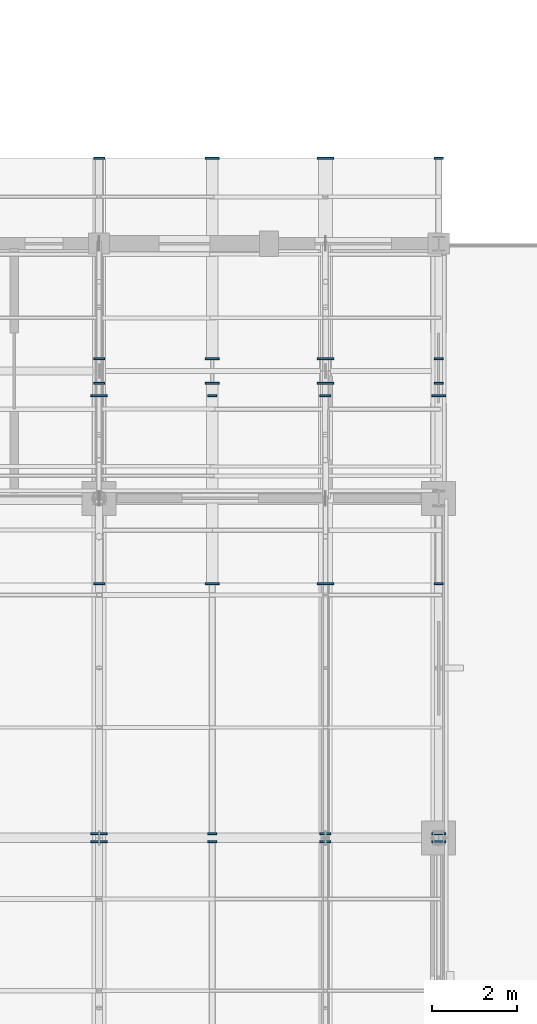
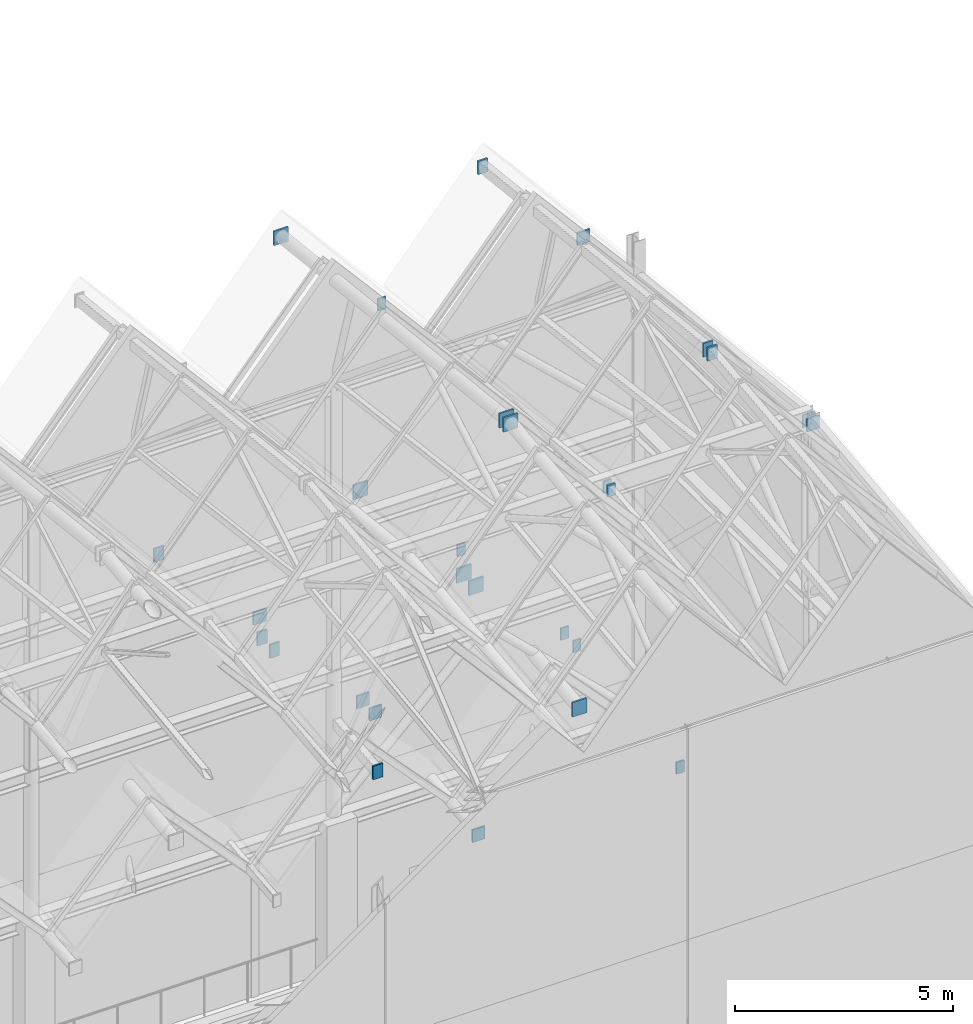
# One storey, part 40 of 48: 28 discrete accessories.
"""IFC4 building model written with IfcOpenShell, lengths in metres."""

from ifc_helpers import new_model, si_unit, direction, frame, origin, origin_2d, place, context, subcontext, project, spatial, rectangle, extrude, material, type_object, element, save


model = new_model("IFC4")

# Units and contexts
model_context = context("Model", 3, precision=1e-05, world=origin(), true_north=direction((0.0, 1.0)))
body_context = subcontext(model_context, "Body", "Model", "MODEL_VIEW")
ifc_project = project(units=[si_unit("LENGTHUNIT", "METRE"), si_unit("AREAUNIT", "SQUARE_METRE"), si_unit("VOLUMEUNIT", "CUBIC_METRE"), si_unit("PLANEANGLEUNIT", "RADIAN"), si_unit("MASSUNIT", "GRAM", prefix="KILO")], contexts=[model_context])

# Site, building, storey
site_placement = place(None, origin())
site = spatial("IfcSite", under=ifc_project, at=site_placement, CompositionType="ELEMENT")
building_placement = place(site_placement, origin())
building = spatial("IfcBuilding", under=site, at=building_placement, Name="Luwemba Playhouse", CompositionType="ELEMENT")
storey_placement = place(building_placement, frame((0.0, 0.0, 13.800048828125)))
storey = spatial("IfcBuildingStorey", under=building, at=storey_placement, Name="L03", CompositionType="ELEMENT", Elevation=13.800048828125)

# Discrete accessories
ifc_material = material(Name="Steel S355", Category="steel")
discrete_accessory_type = type_object("IfcDiscreteAccessoryType", Name="ACC-ENDCAP-S355", PredefinedType="BRACKET", material=ifc_material)
for number, where, z_axis, x_axis, name in (
    (1, (36.0, 75.90478515625, 20.1435546875), (0.0, 0.0, 1.0), (1.0, 0.0, 0.0), "Welded RHS end cap plate 0098"),
    (2, (36.0, 76.09521484375, 20.1435546875), (0.0, 0.0, 1.0), (1.0, 0.0, 0.0), "Welded RHS end cap plate 0099"),
    (3, (36.0, 86.414794921875, 18.98583984375), (0.0, 0.0, 1.0), (1.0, 0.0, 0.0), "Welded RHS end cap plate 0100"),
):
    element("IfcDiscreteAccessory", number, at=place(storey_placement, frame(where, z_axis=z_axis, x_axis=x_axis)), inside=storey, type_object=discrete_accessory_type, Name=name, PredefinedType="BRACKET", context=body_context, shape_type="SweptSolid", body=[
        extrude(rectangle(XDim=0.384033203125, YDim=0.044921875, at=origin_2d()), origin(), (0.0, 0.0, 1.0), 0.404052734375),
    ])
for number, where, z_axis, x_axis, name in (
    (4, (38.666748046875, 75.90478515625, 17.359619140625), (0.0, 0.0, 1.0), (1.0, 0.0, 0.0), "Welded RHS end cap plate 0102"),
    (5, (38.666748046875, 76.09521484375, 17.359619140625), (0.0, 0.0, 1.0), (1.0, 0.0, 0.0), "Welded RHS end cap plate 0103"),
    (6, (38.666748046875, 86.414794921875, 16.2021484375), (0.0, 0.0, 1.0), (1.0, 0.0, 0.0), "Welded RHS end cap plate 0104"),
):
    element("IfcDiscreteAccessory", number, at=place(storey_placement, frame(where, z_axis=z_axis, x_axis=x_axis)), inside=storey, type_object=discrete_accessory_type, Name=name, PredefinedType="BRACKET", context=body_context, shape_type="SweptSolid", body=[
        extrude(rectangle(XDim=0.2099609375, YDim=0.044921875, at=origin_2d()), origin(), (0.0, 0.0, 1.0), 0.330078125),
    ])
for number, where, z_axis, x_axis, name in (
    (7, (41.333251953125, 75.90478515625, 20.239501953125), (0.0, 0.0, 1.0), (1.0, 0.0, 0.0), "Welded RHS end cap plate 0106"),
    (8, (41.333251953125, 76.09521484375, 20.239501953125), (0.0, 0.0, 1.0), (1.0, 0.0, 0.0), "Welded RHS end cap plate 0107"),
    (9, (41.333251953125, 86.414794921875, 19.08203125), (0.0, 0.0, 1.0), (1.0, 0.0, 0.0), "Welded RHS end cap plate 0108"),
):
    element("IfcDiscreteAccessory", number, at=place(storey_placement, frame(where, z_axis=z_axis, x_axis=x_axis)), inside=storey, type_object=discrete_accessory_type, Name=name, PredefinedType="BRACKET", context=body_context, shape_type="SweptSolid", body=[
        extrude(rectangle(XDim=0.260009765625, YDim=0.044921875, at=origin_2d()), origin(), (0.0, 0.0, 1.0), 0.3798828125),
    ])
for number, where, z_axis, x_axis, name in (
    (10, (44.0, 75.90478515625, 17.336669921875), (0.0, 0.0, 1.0), (1.0, 0.0, 0.0), "Welded RHS end cap plate 0110"),
    (11, (44.0, 76.09521484375, 17.336669921875), (0.0, 0.0, 1.0), (1.0, 0.0, 0.0), "Welded RHS end cap plate 0111"),
    (12, (44.0, 86.414794921875, 16.17919921875), (0.0, 0.0, 1.0), (1.0, 0.0, 0.0), "Welded RHS end cap plate 0112"),
):
    element("IfcDiscreteAccessory", number, at=place(storey_placement, frame(where, z_axis=z_axis, x_axis=x_axis)), inside=storey, type_object=discrete_accessory_type, Name=name, PredefinedType="BRACKET", context=body_context, shape_type="SweptSolid", body=[
        extrude(rectangle(XDim=0.3330078125, YDim=0.044921875, at=origin_2d()), origin(), (0.0, 0.0, 1.0), 0.35302734375),
    ])
for number, where, z_axis, x_axis, name in (
    (13, (36.0, 81.985107421875, 6.71240234375), (0.0, 0.0, 1.0), (1.0, 0.0, 0.0), "Welded RHS end cap plate 0181"),
    (14, (36.0, 86.71484375, 7.242919921875), (0.0, 0.0, 1.0), (1.0, 0.0, 0.0), "Welded RHS end cap plate 0182"),
    (15, (36.0, 87.28515625, 7.242919921875), (0.0, 0.0, 1.0), (1.0, 0.0, 0.0), "Welded RHS end cap plate 0183"),
    (16, (36.0, 92.014892578125, 6.71240234375), (0.0, 0.0, 1.0), (1.0, 0.0, 0.0), "Welded RHS end cap plate 0184"),
):
    element("IfcDiscreteAccessory", number, at=place(storey_placement, frame(where, z_axis=z_axis, x_axis=x_axis)), inside=storey, type_object=discrete_accessory_type, Name=name, PredefinedType="BRACKET", context=body_context, shape_type="SweptSolid", body=[
        extrude(rectangle(XDim=0.260009765625, YDim=0.044921875, at=origin_2d()), origin(), (0.0, 0.0, 1.0), 0.3798828125),
    ])
for number, where, z_axis, x_axis, name in (
    (17, (38.666748046875, 81.985107421875, 4.0361328125), (0.0, 0.0, 1.0), (1.0, 0.0, 0.0), "Welded RHS end cap plate 0185"),
    (18, (38.666748046875, 86.71484375, 4.566650390625), (0.0, 0.0, 1.0), (1.0, 0.0, 0.0), "Welded RHS end cap plate 0186"),
    (19, (38.666748046875, 87.28515625, 4.566650390625), (0.0, 0.0, 1.0), (1.0, 0.0, 0.0), "Welded RHS end cap plate 0187"),
    (20, (38.666748046875, 92.014892578125, 4.0361328125), (0.0, 0.0, 1.0), (1.0, 0.0, 0.0), "Welded RHS end cap plate 0188"),
):
    element("IfcDiscreteAccessory", number, at=place(storey_placement, frame(where, z_axis=z_axis, x_axis=x_axis)), inside=storey, type_object=discrete_accessory_type, Name=name, PredefinedType="BRACKET", context=body_context, shape_type="SweptSolid", body=[
        extrude(rectangle(XDim=0.3330078125, YDim=0.044921875, at=origin_2d()), origin(), (0.0, 0.0, 1.0), 0.35302734375),
    ])
for number, where, z_axis, x_axis, name in (
    (21, (41.333251953125, 81.985107421875, 6.62158203125), (0.0, 0.0, 1.0), (1.0, 0.0, 0.0), "Welded RHS end cap plate 0189"),
    (22, (41.333251953125, 86.71484375, 7.15234375), (0.0, 0.0, 1.0), (1.0, 0.0, 0.0), "Welded RHS end cap plate 0190"),
    (23, (41.333251953125, 87.28515625, 7.15234375), (0.0, 0.0, 1.0), (1.0, 0.0, 0.0), "Welded RHS end cap plate 0191"),
    (24, (41.333251953125, 92.014892578125, 6.62158203125), (0.0, 0.0, 1.0), (1.0, 0.0, 0.0), "Welded RHS end cap plate 0192"),
):
    element("IfcDiscreteAccessory", number, at=place(storey_placement, frame(where, z_axis=z_axis, x_axis=x_axis)), inside=storey, type_object=discrete_accessory_type, Name=name, PredefinedType="BRACKET", context=body_context, shape_type="SweptSolid", body=[
        extrude(rectangle(XDim=0.384033203125, YDim=0.044921875, at=origin_2d()), origin(), (0.0, 0.0, 1.0), 0.404052734375),
    ])
for number, where, z_axis, x_axis, name in (
    (25, (44.0, 81.985107421875, 4.05908203125), (0.0, 0.0, 1.0), (1.0, 0.0, 0.0), "Welded RHS end cap plate 0193"),
    (26, (44.0, 86.71484375, 4.589599609375), (0.0, 0.0, 1.0), (1.0, 0.0, 0.0), "Welded RHS end cap plate 0194"),
    (27, (44.0, 87.28515625, 4.589599609375), (0.0, 0.0, 1.0), (1.0, 0.0, 0.0), "Welded RHS end cap plate 0195"),
    (28, (44.0, 92.014892578125, 4.05908203125), (0.0, 0.0, 1.0), (1.0, 0.0, 0.0), "Welded RHS end cap plate 0196"),
):
    element("IfcDiscreteAccessory", number, at=place(storey_placement, frame(where, z_axis=z_axis, x_axis=x_axis)), inside=storey, type_object=discrete_accessory_type, Name=name, PredefinedType="BRACKET", context=body_context, shape_type="SweptSolid", body=[
        extrude(rectangle(XDim=0.2099609375, YDim=0.044921875, at=origin_2d()), origin(), (0.0, 0.0, 1.0), 0.330078125),
    ])

save(model, "model.ifc")
